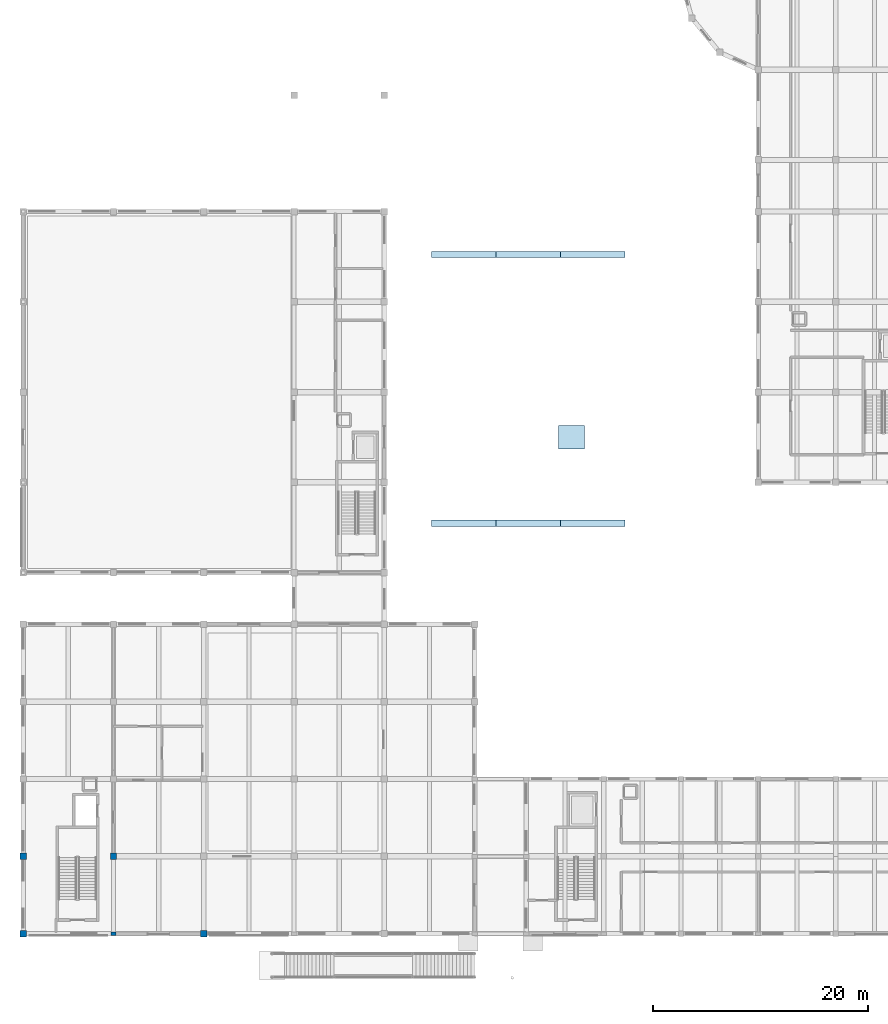
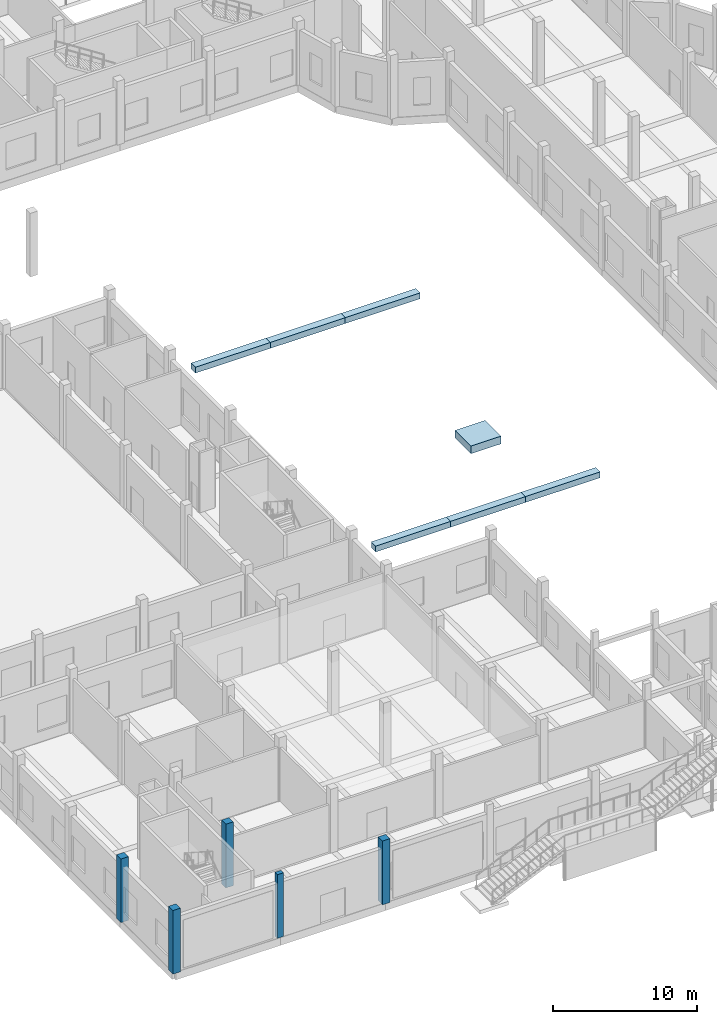
# One storey, part 1 of 41: 7 footings, 5 columns.
"""IFC4 building model written with IfcOpenShell, lengths in metres."""

from ifc_helpers import new_model, si_unit, direction, frame, origin, origin_2d, place, context, subcontext, project, spatial, rectangle, extrude, material, material_profile, profile_set, type_object, element, save


model = new_model("IFC4")

# Units and contexts
model_context = context("Model", 3, precision=1e-05, world=origin(), true_north=direction((0.0, 1.0)))
body_context = subcontext(model_context, "Body", "Model", "MODEL_VIEW")
ifc_project = project(units=[si_unit("LENGTHUNIT", "METRE"), si_unit("AREAUNIT", "SQUARE_METRE"), si_unit("VOLUMEUNIT", "CUBIC_METRE"), si_unit("PLANEANGLEUNIT", "RADIAN"), si_unit("MASSUNIT", "GRAM", prefix="KILO")], contexts=[model_context])

# Site, building, storey
site_placement = place(None, origin())
site = spatial("IfcSite", under=ifc_project, at=site_placement, CompositionType="ELEMENT")
building_placement = place(site_placement, origin())
building = spatial("IfcBuilding", under=site, at=building_placement, Name="Kahlenmark Community Centre", CompositionType="ELEMENT")
storey_placement = place(building_placement, origin())
storey = spatial("IfcBuildingStorey", under=building, at=storey_placement, Name="L00", CompositionType="ELEMENT", Elevation=0.0)

# Footings
ifc_material_1 = material(Name="Concrete C30/37", Category="concrete")
footing_type_1 = type_object("IfcFootingType", Name="FT-PAD-160X160", PredefinedType="PAD_FOOTING", material=ifc_material_1)
footing_placement = place(storey_placement, frame((55.0, 55.0, -0.969970703125), z_axis=(0.0, 0.0, 1.0), x_axis=(1.0, 0.0, 0.0)))
element("IfcFooting", 1, at=footing_placement, inside=storey, type_object=footing_type_1, Name="Forecourt pad footing PF-08", PredefinedType="PAD_FOOTING", context=body_context, shape_type="SweptSolid", body=[
    extrude(rectangle(XDim=2.39990234375, YDim=2.199951171875, at=origin_2d()), origin(), (0.0, 0.0, 1.0), 0.64990234375),
])
footing_type_2 = type_object("IfcFootingType", Name="FT-SF-600X500", PredefinedType="STRIP_FOOTING", material=ifc_material_1)
for number, where, z_axis, x_axis, name in (
    (2, (45.0, 47.0, -0.800048828125), (0.0, 0.0, 1.0), (1.0, 0.0, 0.0), "Courtyard strip footing SF-01"),
    (3, (51.0, 47.0, -0.800048828125), (0.0, 0.0, 1.0), (1.0, 0.0, 0.0), "Courtyard strip footing SF-02"),
    (4, (57.0, 47.0, -0.800048828125), (0.0, 0.0, 1.0), (1.0, 0.0, 0.0), "Courtyard strip footing SF-03"),
    (5, (45.0, 72.0, -0.800048828125), (0.0, 0.0, 1.0), (1.0, 0.0, 0.0), "Courtyard strip footing SF-04"),
    (6, (51.0, 72.0, -0.800048828125), (0.0, 0.0, 1.0), (1.0, 0.0, 0.0), "Courtyard strip footing SF-05"),
    (7, (57.0, 72.0, -0.800048828125), (0.0, 0.0, 1.0), (1.0, 0.0, 0.0), "Courtyard strip footing SF-06"),
):
    element("IfcFooting", number, at=place(storey_placement, frame(where, z_axis=z_axis, x_axis=x_axis)), inside=storey, type_object=footing_type_2, Name=name, PredefinedType="STRIP_FOOTING", context=body_context, shape_type="SweptSolid", body=[
        extrude(rectangle(XDim=6.0, YDim=0.60009765625, at=origin_2d()), origin(), (0.0, 0.0, 1.0), 0.5),
    ])

# Columns
ifc_material_2 = material(Name="Concrete C35/45", Category="concrete")
ifc_material_profile_1 = material_profile(ifc_material_2, rectangle(XDim=0.5, YDim=0.35009765625, at=origin_2d()), Name="RC 500x350")
ifc_profile_set_1 = profile_set([ifc_material_profile_1], Name="Concrete C35/45")
column_type_1 = type_object("IfcColumnType", Name="CT-PIL500", PredefinedType="PILASTER", material=ifc_profile_set_1)
column_placement = place(storey_placement, frame((12.39990234375, 8.800048828125, 0.0), z_axis=(0.0, 0.0, 1.0), x_axis=(1.0, 0.0, 0.0)))
element("IfcColumn", 8, at=column_placement, inside=storey, type_object=column_type_1, Name="L00 pilaster (12.4, 8.8)", PredefinedType="PILASTER", context=body_context, shape_type="SweptSolid", body=[
    extrude(rectangle(XDim=0.5, YDim=0.35009765625, at=origin_2d()), origin(), (0.0, 0.0, 1.0), 5.39990234375),
])
ifc_material_profile_2 = material_profile(ifc_material_2, rectangle(XDim=0.60009765625, YDim=0.60009765625, at=origin_2d()), Name="RC 600x600")
ifc_profile_set_2 = profile_set([ifc_material_profile_2], Name="Concrete C35/45")
column_type_2 = type_object("IfcColumnType", Name="CT-RC600", PredefinedType="COLUMN", material=ifc_profile_set_2)
for number, where, z_axis, x_axis, name in (
    (9, (4.0, 8.800048828125, 0.0), (0.0, 0.0, 1.0), (1.0, 0.0, 0.0), "L00 column (4.0, 8.8)"),
    (10, (4.0, 16.0, 0.0), (0.0, 0.0, 1.0), (1.0, 0.0, 0.0), "L00 column (4.0, 16.0)"),
    (11, (12.39990234375, 16.0, 0.0), (0.0, 0.0, 1.0), (1.0, 0.0, 0.0), "L00 column (12.4, 16.0)"),
    (12, (20.800048828125, 8.800048828125, 0.0), (0.0, 0.0, 1.0), (1.0, 0.0, 0.0), "L00 column (20.8, 8.8)"),
):
    element("IfcColumn", number, at=place(storey_placement, frame(where, z_axis=z_axis, x_axis=x_axis)), inside=storey, type_object=column_type_2, Name=name, PredefinedType="COLUMN", context=body_context, shape_type="SweptSolid", body=[
        extrude(rectangle(XDim=0.60009765625, YDim=0.60009765625, at=origin_2d()), origin(), (0.0, 0.0, 1.0), 5.39990234375),
    ])

save(model, "model.ifc")
